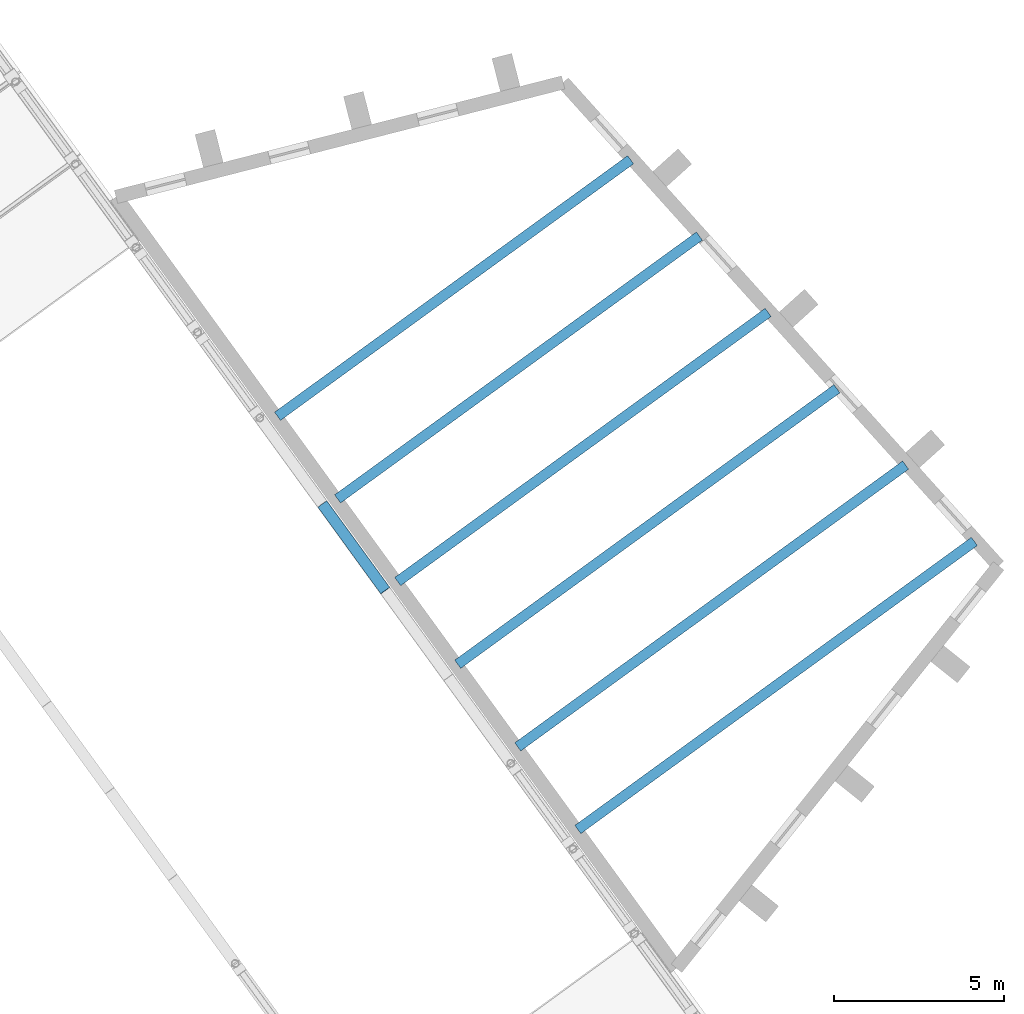
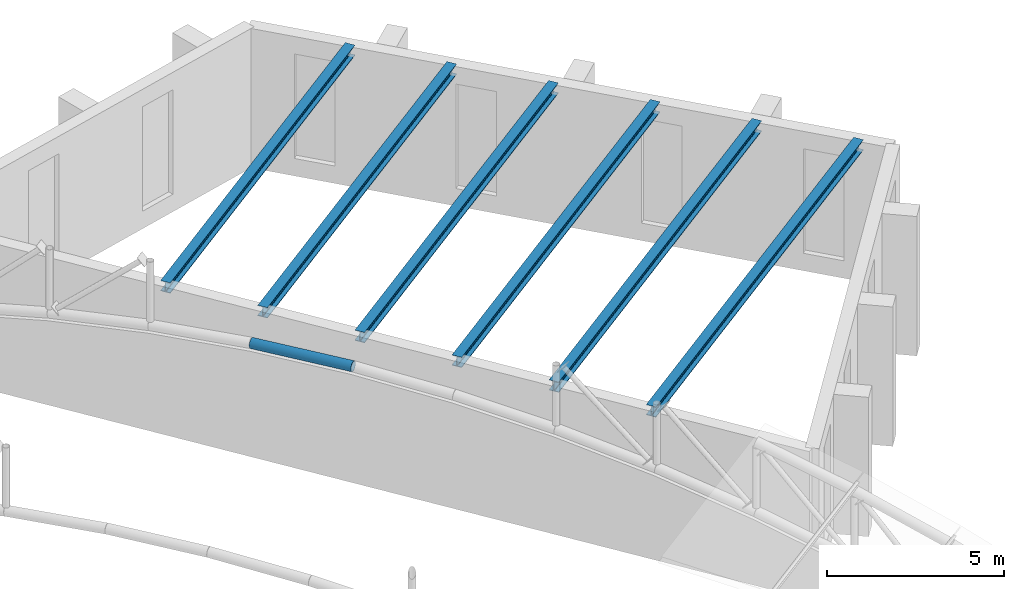
# One storey, part 33 of 69: 6 beams, 1 member.
"""IFC4 building model written with IfcOpenShell, lengths in metres."""

from ifc_helpers import new_model, si_unit, direction, frame, origin, origin_2d, place, context, subcontext, project, spatial, hollow_circle, i_section, extrude, material, material_profile, profile_set, type_object, element, save


model = new_model("IFC4")

# Units and contexts
model_context = context("Model", 3, precision=1e-05, world=origin(), true_north=direction((0.0, 1.0)))
body_context = subcontext(model_context, "Body", "Model", "MODEL_VIEW")
ifc_project = project(units=[si_unit("LENGTHUNIT", "METRE"), si_unit("AREAUNIT", "SQUARE_METRE"), si_unit("VOLUMEUNIT", "CUBIC_METRE"), si_unit("PLANEANGLEUNIT", "RADIAN"), si_unit("MASSUNIT", "GRAM", prefix="KILO")], contexts=[model_context])

# Site, building, storey
site_placement = place(None, origin())
site = spatial("IfcSite", under=ifc_project, at=site_placement, CompositionType="ELEMENT")
building_placement = place(site_placement, origin())
building = spatial("IfcBuilding", under=site, at=building_placement, Name="Okhra Congress Centre", CompositionType="ELEMENT")
storey_placement = place(building_placement, frame((0.0, 0.0, 16.800048828125)))
storey = spatial("IfcBuildingStorey", under=building, at=storey_placement, Name="L03", CompositionType="ELEMENT", Elevation=16.800048828125)

# Member
ifc_material_1 = material(Name="Steel S355J2H", Category="steel")
ifc_material_profile_1 = material_profile(ifc_material_1, hollow_circle(Radius=0.161865234375, WallThickness=0.012451171875, at=origin_2d()), Name="CHS 323.9x12.5")
ifc_profile_set_1 = profile_set([ifc_material_profile_1], Name="Steel S355J2H")
member_type = type_object("IfcMemberType", Name="CHS 323.9x12.5", PredefinedType="CHORD", material=ifc_profile_set_1)
member_placement = place(storey_placement, frame((262.481201171875, 213.219482421875, 3.884521484375), z_axis=(-0.587539464221, 0.808673182399, -0.029069951001), x_axis=(-0.809015088623, -0.587787875327, 0.0)))
element("IfcMember", 1, at=member_placement, inside=storey, type_object=member_type, Name="Truss 7 bottom chord 10", PredefinedType="CHORD", context=body_context, shape_type="SweptSolid", body=[
    extrude(hollow_circle(Radius=0.161865234375, WallThickness=0.012451171875, at=origin_2d()), origin(), (0.0, 0.0, 1.0), 3.14111328125),
])

# Beams
ifc_material_2 = material(Name="Steel S355J2", Category="steel")
ifc_material_profile_2 = material_profile(ifc_material_2, i_section(OverallWidth=0.300048828125, OverallDepth=0.360107421875, WebThickness=0.012451171875, FlangeThickness=0.0224609375, FilletRadius=0.027099609375, at=origin_2d()), Name="HE 360 B")
ifc_profile_set_2 = profile_set([ifc_material_profile_2], Name="Steel S355J2")
beam_type = type_object("IfcBeamType", Name="HE 360 B", PredefinedType="BEAM", material=ifc_profile_set_2)
beam_1_placement = place(storey_placement, frame((268.135498046875, 206.202880859375, 4.619873046875), z_axis=(0.809017628186, 0.587784379925, 0.0), x_axis=(-0.587784379925, 0.809017628186, 0.0)))
element("IfcBeam", 2, at=beam_1_placement, inside=storey, type_object=beam_type, Name="Rigging grid beam 1", PredefinedType="BEAM", context=body_context, shape_type="SweptSolid", body=[
    extrude(i_section(OverallWidth=0.300048828125, OverallDepth=0.360107421875, WebThickness=0.012451171875, FlangeThickness=0.0224609375, FilletRadius=0.027099609375, at=origin_2d()), origin(), (0.0, 0.0, 1.0), 14.39453125),
])
beam_2_placement = place(storey_placement, frame((266.3720703125, 208.6298828125, 4.619873046875), z_axis=(0.809017943506, 0.587783945923, 0.0), x_axis=(-0.587783945923, 0.809017943506, 0.0)))
element("IfcBeam", 3, at=beam_2_placement, inside=storey, type_object=beam_type, Name="Rigging grid beam 2", PredefinedType="BEAM", context=body_context, shape_type="SweptSolid", body=[
    extrude(i_section(OverallWidth=0.300048828125, OverallDepth=0.360107421875, WebThickness=0.012451171875, FlangeThickness=0.0224609375, FilletRadius=0.027099609375, at=origin_2d()), origin(), (0.0, 0.0, 1.0), 14.078857421875),
])
beam_3_placement = place(storey_placement, frame((264.608642578125, 211.056884765625, 4.619873046875), z_axis=(0.80901827329, 0.587783492013, 0.0), x_axis=(-0.587783492013, 0.80901827329, 0.0)))
element("IfcBeam", 4, at=beam_3_placement, inside=storey, type_object=beam_type, Name="Rigging grid beam 3", PredefinedType="BEAM", context=body_context, shape_type="SweptSolid", body=[
    extrude(i_section(OverallWidth=0.300048828125, OverallDepth=0.360107421875, WebThickness=0.012451171875, FlangeThickness=0.0224609375, FilletRadius=0.027099609375, at=origin_2d()), origin(), (0.0, 0.0, 1.0), 13.76318359375),
])
beam_4_placement = place(storey_placement, frame((262.845458984375, 213.48388671875, 4.619873046875), z_axis=(0.809012346101, 0.587791650039, 0.0), x_axis=(-0.587791650039, 0.809012346101, 0.0)))
element("IfcBeam", 5, at=beam_4_placement, inside=storey, type_object=beam_type, Name="Rigging grid beam 4", PredefinedType="BEAM", context=body_context, shape_type="SweptSolid", body=[
    extrude(i_section(OverallWidth=0.300048828125, OverallDepth=0.360107421875, WebThickness=0.012451171875, FlangeThickness=0.0224609375, FilletRadius=0.027099609375, at=origin_2d()), origin(), (0.0, 0.0, 1.0), 13.447509765625),
])
beam_5_placement = place(storey_placement, frame((261.08203125, 215.9111328125, 4.619873046875), z_axis=(0.809014974753, 0.587788032054, 0.0), x_axis=(-0.587788032054, 0.809014974753, 0.0)))
element("IfcBeam", 6, at=beam_5_placement, inside=storey, type_object=beam_type, Name="Rigging grid beam 5", PredefinedType="BEAM", context=body_context, shape_type="SweptSolid", body=[
    extrude(i_section(OverallWidth=0.300048828125, OverallDepth=0.360107421875, WebThickness=0.012451171875, FlangeThickness=0.0224609375, FilletRadius=0.027099609375, at=origin_2d()), origin(), (0.0, 0.0, 1.0), 13.13134765625),
])
beam_6_placement = place(storey_placement, frame((259.318603515625, 218.338134765625, 4.619873046875), z_axis=(0.809015255798, 0.587787645231, 0.0), x_axis=(-0.587787645231, 0.809015255798, 0.0)))
element("IfcBeam", 7, at=beam_6_placement, inside=storey, type_object=beam_type, Name="Rigging grid beam 6", PredefinedType="BEAM", context=body_context, shape_type="SweptSolid", body=[
    extrude(i_section(OverallWidth=0.300048828125, OverallDepth=0.360107421875, WebThickness=0.012451171875, FlangeThickness=0.0224609375, FilletRadius=0.027099609375, at=origin_2d()), origin(), (0.0, 0.0, 1.0), 12.815673828125),
])

save(model, "model.ifc")
